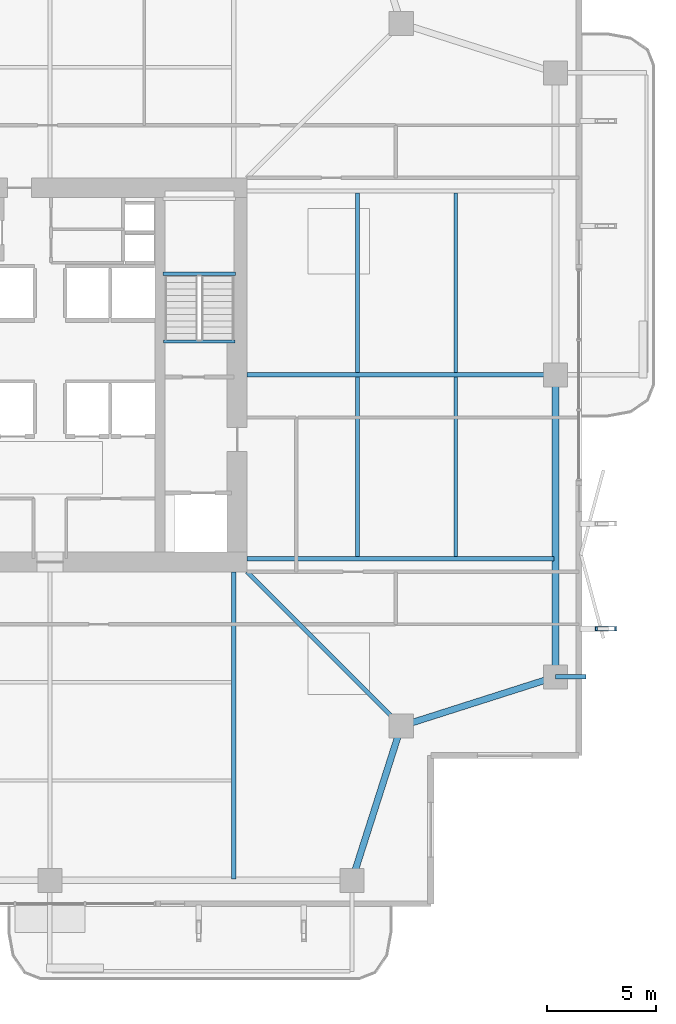
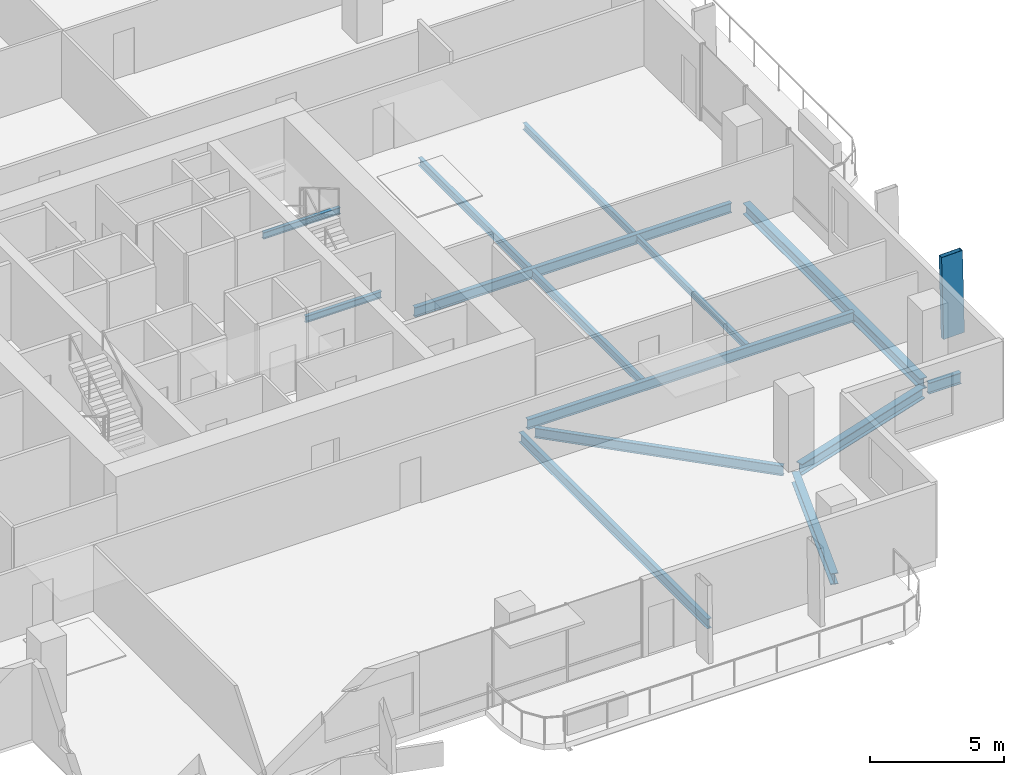
# One storey, part 9 of 25: 14 beams, 1 member.
"""IFC4 building model written with IfcOpenShell, lengths in metres."""

from ifc_helpers import new_model, si_unit, direction, frame, origin, origin_2d, place, context, subcontext, project, spatial, hollow_rectangle, i_section, extrude, material, material_profile, profile_set, type_object, element, save


model = new_model("IFC4")

# Units and contexts
model_context = context("Model", 3, precision=1e-05, world=origin(), true_north=direction((0.0, 1.0)))
body_context = subcontext(model_context, "Body", "Model", "MODEL_VIEW")
ifc_project = project(units=[si_unit("LENGTHUNIT", "METRE"), si_unit("AREAUNIT", "SQUARE_METRE"), si_unit("VOLUMEUNIT", "CUBIC_METRE"), si_unit("PLANEANGLEUNIT", "RADIAN"), si_unit("MASSUNIT", "GRAM", prefix="KILO")], contexts=[model_context])

# Site, building, storey
site_placement = place(None, origin())
site = spatial("IfcSite", under=ifc_project, at=site_placement, CompositionType="ELEMENT")
building_placement = place(site_placement, origin())
building = spatial("IfcBuilding", under=site, at=building_placement, Name="Belovzor Exchange Tower", CompositionType="ELEMENT")
storey_placement = place(building_placement, frame((0.0, 0.0, 164.550048828125)))
storey = spatial("IfcBuildingStorey", under=building, at=storey_placement, Name="L40", CompositionType="ELEMENT", Elevation=164.550048828125)

# Beams
ifc_material_1 = material(Name="Steel S355", Category="steel")
ifc_material_profile_1 = material_profile(ifc_material_1, i_section(OverallWidth=0.199951171875, OverallDepth=0.5, WebThickness=0.01025390625, FlangeThickness=0.01611328125, at=origin_2d()))
ifc_profile_set_1 = profile_set([ifc_material_profile_1], Name="Steel S355")
beam_type_1 = type_object("IfcBeamType", Name="Planted Balcony Cantilever Beam IPE 500", PredefinedType="BEAM", material=ifc_profile_set_1)
beam_1_placement = place(storey_placement, frame((51.89990234375, 15.0, -0.505126953125), z_axis=(1.0, 0.0, 0.0), x_axis=(0.0, 1.0, 0.0)))
element("IfcBeam", 1, at=beam_1_placement, inside=storey, type_object=beam_type_1, Name="BC-500 Planted Balcony Cantilever Beam IPE 500", PredefinedType="BEAM", context=body_context, shape_type="SweptSolid", body=[
    extrude(i_section(OverallWidth=0.199951171875, OverallDepth=0.5, WebThickness=0.01025390625, FlangeThickness=0.01611328125, at=origin_2d()), origin(), (0.0, 0.0, 1.0), 1.400146484375),
])
ifc_material_2 = material(Name="Steel S355", Category="steel")
ifc_material_profile_2 = material_profile(ifc_material_2, i_section(OverallWidth=0.169921875, OverallDepth=0.360107421875, WebThickness=0.008056640625, FlangeThickness=0.0126953125, at=origin_2d()))
ifc_profile_set_2 = profile_set([ifc_material_profile_2], Name="Steel S355")
beam_type_2 = type_object("IfcBeamType", Name="Secondary Infill Floor Joist IPE 360", PredefinedType="BEAM", material=ifc_profile_set_2)
for number, where, z_axis, x_axis, name in (
    (2, (42.84912109375, 20.4951171875, -0.43505859375), (0.0, 1.0, 0.0), (-1.0, 0.0, 0.0), "FJ-360 Secondary Infill Floor Joist IPE 360"),
    (3, (42.84912109375, 28.89501953125, -0.43505859375), (0.0, 1.0, 0.0), (-1.0, 0.0, 0.0), "FJ-360 Secondary Infill Floor Joist IPE 360"),
):
    element("IfcBeam", number, at=place(storey_placement, frame(where, z_axis=z_axis, x_axis=x_axis)), inside=storey, type_object=beam_type_2, Name=name, PredefinedType="BEAM", context=body_context, shape_type="SweptSolid", body=[
        extrude(i_section(OverallWidth=0.169921875, OverallDepth=0.360107421875, WebThickness=0.008056640625, FlangeThickness=0.0126953125, at=origin_2d()), origin(), (0.0, 0.0, 1.0), 8.2099609375),
    ])
ifc_material_3 = material(Name="Steel S355", Category="steel")
ifc_material_profile_3 = material_profile(ifc_material_3, i_section(OverallWidth=0.14990234375, OverallDepth=0.300048828125, WebThickness=0.007080078125, FlangeThickness=0.0107421875, at=origin_2d()))
ifc_profile_set_3 = profile_set([ifc_material_profile_3], Name="Steel S355")
beam_type_3 = type_object("IfcBeamType", Name="Secondary Trim Floor Joist IPE 300", PredefinedType="BEAM", material=ifc_profile_set_3)
beam_2_placement = place(storey_placement, frame((37.280029296875, 33.419921875, 1.52490234375), z_axis=(-1.0, 0.0, 0.0), x_axis=(0.0, -1.0, 0.0)))
element("IfcBeam", 4, at=beam_2_placement, inside=storey, type_object=beam_type_3, Name="FJ-300 Secondary Trim Floor Joist IPE 300", PredefinedType="BEAM", context=body_context, shape_type="SweptSolid", body=[
    extrude(i_section(OverallWidth=0.14990234375, OverallDepth=0.300048828125, WebThickness=0.007080078125, FlangeThickness=0.0107421875, at=origin_2d()), origin(), (0.0, 0.0, 1.0), 3.31005859375),
])
beam_3_placement = place(storey_placement, frame((37.260009765625, 30.320068359375, -0.405029296875), z_axis=(-1.0, 0.0, 0.0), x_axis=(0.0, -1.0, 0.0)))
element("IfcBeam", 5, at=beam_3_placement, inside=storey, type_object=beam_type_3, Name="FJ-300 Secondary Trim Floor Joist IPE 300", PredefinedType="BEAM", context=body_context, shape_type="SweptSolid", body=[
    extrude(i_section(OverallWidth=0.14990234375, OverallDepth=0.300048828125, WebThickness=0.007080078125, FlangeThickness=0.0107421875, at=origin_2d()), origin(), (0.0, 0.0, 1.0), 3.27001953125),
])
for number, where, z_axis, x_axis, name in (
    (6, (47.3369140625, 20.4951171875, -0.405029296875), (0.0, 1.0, 0.0), (-1.0, 0.0, 0.0), "FJ-300 Secondary Trim Floor Joist IPE 300"),
    (7, (47.3369140625, 28.89501953125, -0.405029296875), (0.0, 1.0, 0.0), (-1.0, 0.0, 0.0), "FJ-300 Secondary Trim Floor Joist IPE 300"),
):
    element("IfcBeam", number, at=place(storey_placement, frame(where, z_axis=z_axis, x_axis=x_axis)), inside=storey, type_object=beam_type_3, Name=name, PredefinedType="BEAM", context=body_context, shape_type="SweptSolid", body=[
        extrude(i_section(OverallWidth=0.14990234375, OverallDepth=0.300048828125, WebThickness=0.007080078125, FlangeThickness=0.0107421875, at=origin_2d()), origin(), (0.0, 0.0, 1.0), 8.2099609375),
    ])

# Member
ifc_material_4 = material(Name="Extruded Architectural Terracotta on Steel S355 Carrier", Category="masonry")
ifc_material_profile_4 = material_profile(ifc_material_4, hollow_rectangle(XDim=0.199951171875, YDim=0.89990234375, WallThickness=0.011962890625, at=origin_2d()))
ifc_profile_set_4 = profile_set([ifc_material_profile_4], Name="Extruded Architectural Terracotta on Steel S355 Carrier")
member_type = type_object("IfcMemberType", Name="Sweeping Terracotta Baguette Fin Assembly 1250", PredefinedType="USERDEFINED", material=ifc_profile_set_4)
member_placement = place(storey_placement, frame((54.2470703125, 17.199951171875, -0.255126953125), z_axis=(-0.023235912336, 0.0, 0.999730009742), x_axis=(0.0, -1.0, 0.0)))
element("IfcMember", 8, at=member_placement, inside=storey, type_object=member_type, Name="FIN-TC125 Terracotta Facade Fin L40 E1", ObjectType="FIN", PredefinedType="USERDEFINED", context=body_context, shape_type="SweptSolid", body=[
    extrude(hollow_rectangle(XDim=0.199951171875, YDim=0.89990234375, WallThickness=0.011962890625, at=origin_2d()), origin(), (0.0, 0.0, 1.0), 3.7509765625),
])

# Beams
ifc_material_5 = material(Name="Steel S355", Category="steel")
ifc_material_profile_5 = material_profile(ifc_material_5, i_section(OverallWidth=0.18994140625, OverallDepth=0.449951171875, WebThickness=0.009521484375, FlangeThickness=0.0146484375, at=origin_2d()))
ifc_profile_set_5 = profile_set([ifc_material_profile_5], Name="Steel S355")
beam_type_4 = type_object("IfcBeamType", Name="Zone 2-4 Radial Composite Floor Beam IPE 450", PredefinedType="BEAM", material=ifc_profile_set_5)
beam_4_placement = place(storey_placement, frame((37.199951171875, 19.800048828125, -0.47998046875), z_axis=(0.0, -1.0, 0.0), x_axis=(1.0, 0.0, 0.0)))
element("IfcBeam", 9, at=beam_4_placement, inside=storey, type_object=beam_type_4, Name="FB-450 Zone 2-4 Radial Composite Floor Beam IPE 450", PredefinedType="BEAM", context=body_context, shape_type="SweptSolid", body=[
    extrude(i_section(OverallWidth=0.18994140625, OverallDepth=0.449951171875, WebThickness=0.009521484375, FlangeThickness=0.0146484375, at=origin_2d()), origin(), (0.0, 0.0, 1.0), 14.025146484375),
])
beam_5_placement = place(storey_placement, frame((37.800048828125, 20.39990234375, -0.47998046875), z_axis=(1.0, 0.0, 0.0), x_axis=(0.0, 1.0, 0.0)))
element("IfcBeam", 10, at=beam_5_placement, inside=storey, type_object=beam_type_4, Name="FB-450 Zone 2-4 Radial Composite Floor Beam IPE 450", PredefinedType="BEAM", context=body_context, shape_type="SweptSolid", body=[
    extrude(i_section(OverallWidth=0.18994140625, OverallDepth=0.449951171875, WebThickness=0.009521484375, FlangeThickness=0.0146484375, at=origin_2d()), origin(), (0.0, 0.0, 1.0), 14.02490234375),
])
beam_6_placement = place(storey_placement, frame((37.800048828125, 28.800048828125, -0.47998046875), z_axis=(1.0, 0.0, 0.0), x_axis=(0.0, 1.0, 0.0)))
element("IfcBeam", 11, at=beam_6_placement, inside=storey, type_object=beam_type_4, Name="FB-450 Zone 2-4 Radial Composite Floor Beam IPE 450", PredefinedType="BEAM", context=body_context, shape_type="SweptSolid", body=[
    extrude(i_section(OverallWidth=0.18994140625, OverallDepth=0.449951171875, WebThickness=0.009521484375, FlangeThickness=0.0146484375, at=origin_2d()), origin(), (0.0, 0.0, 1.0), 13.615966796875),
])
beam_7_placement = place(storey_placement, frame((37.800048828125, 19.800048828125, -0.47998046875), z_axis=(0.707094040639, -0.707119521505, 0.0), x_axis=(0.707119521505, 0.707094040639, 0.0)))
element("IfcBeam", 12, at=beam_7_placement, inside=storey, type_object=beam_type_4, Name="FB-450 Zone 2-4 Radial Composite Floor Beam IPE 450", PredefinedType="BEAM", context=body_context, shape_type="SweptSolid", body=[
    extrude(i_section(OverallWidth=0.18994140625, OverallDepth=0.449951171875, WebThickness=0.009521484375, FlangeThickness=0.0146484375, at=origin_2d()), origin(), (0.0, 0.0, 1.0), 9.581298828125),
])
ifc_material_6 = material(Name="Steel S355", Category="steel")
ifc_material_profile_6 = material_profile(ifc_material_6, i_section(OverallWidth=0.300048828125, OverallDepth=0.5, WebThickness=0.014404296875, FlangeThickness=0.028076171875, at=origin_2d()))
ifc_profile_set_6 = profile_set([ifc_material_profile_6], Name="Steel S355")
beam_type_5 = type_object("IfcBeamType", Name="Zone 3 Waist Primary Girder HEB 500", PredefinedType="BEAM", material=ifc_profile_set_6)
for number, where, z_axis, x_axis, name in (
    (13, (42.69189453125, 5.988037109375, -0.505126953125), (0.304044336164, 0.952657882792, 0.0), (-0.952657882792, 0.304044336164, 0.0), "FG-Z3 Zone 3 Waist Primary Girder HEB 500"),
    (14, (45.137939453125, 12.842041015625, -0.505126953125), (0.952671608699, 0.304001325621, 0.0), (-0.304001325621, 0.952671608699, 0.0), "FG-Z3 Zone 3 Waist Primary Girder HEB 500"),
):
    element("IfcBeam", number, at=place(storey_placement, frame(where, z_axis=z_axis, x_axis=x_axis)), inside=storey, type_object=beam_type_5, Name=name, PredefinedType="BEAM", context=body_context, shape_type="SweptSolid", body=[
        extrude(i_section(OverallWidth=0.300048828125, OverallDepth=0.5, WebThickness=0.014404296875, FlangeThickness=0.028076171875, at=origin_2d()), origin(), (0.0, 0.0, 1.0), 6.795654296875),
    ])
beam_8_placement = place(storey_placement, frame((51.89990234375, 15.302978515625, -0.505126953125), z_axis=(0.0, 1.0, 0.0), x_axis=(-1.0, 0.0, 0.0)))
element("IfcBeam", 15, at=beam_8_placement, inside=storey, type_object=beam_type_5, Name="FG-Z3 Zone 3 Waist Primary Girder HEB 500", PredefinedType="BEAM", context=body_context, shape_type="SweptSolid", body=[
    extrude(i_section(OverallWidth=0.300048828125, OverallDepth=0.5, WebThickness=0.014404296875, FlangeThickness=0.028076171875, at=origin_2d()), origin(), (0.0, 0.0, 1.0), 13.195068359375),
])

save(model, "model.ifc")
